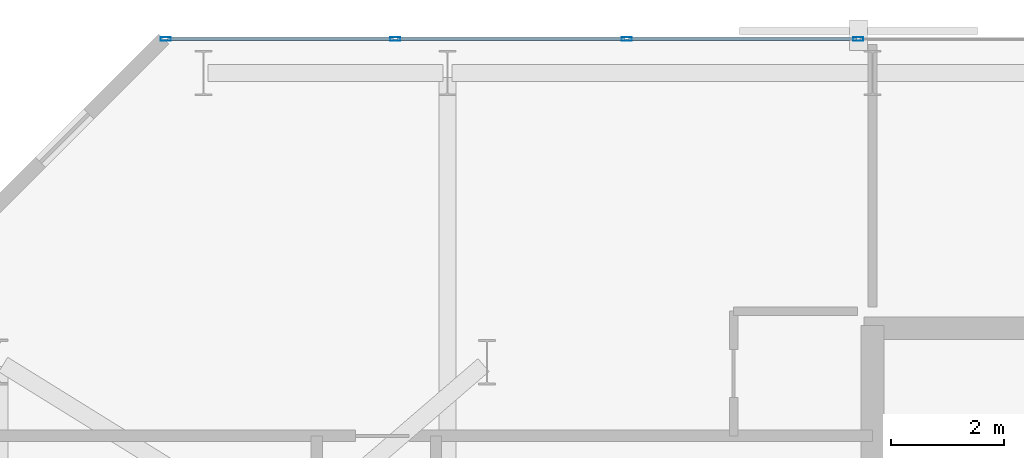
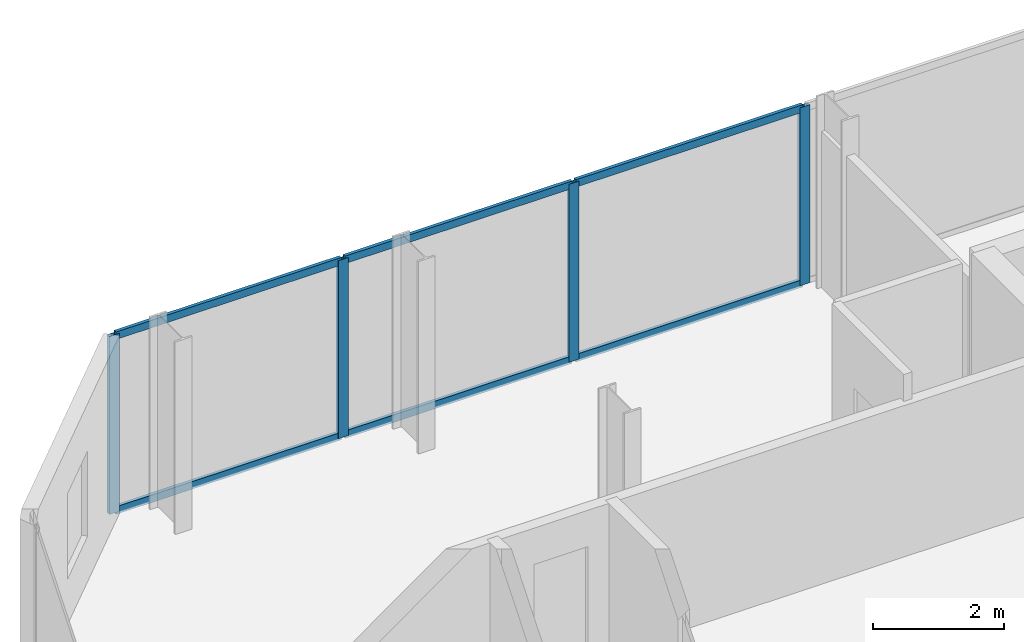
# One storey, part 22 of 33: 10 members, 1 element without a shape of its own.
"""IFC4 building model written with IfcOpenShell, lengths in metres."""

from ifc_helpers import new_model, si_unit, direction, frame, origin, origin_2d, place, context, subcontext, project, spatial, hollow_rectangle, extrude, material, layer, layer_set, material_profile, profile_set, type_object, element, aggregate, save


model = new_model("IFC4")

# Units and contexts
model_context = context("Model", 3, precision=1e-05, world=origin(), true_north=direction((0.0, 1.0)))
body_context = subcontext(model_context, "Body", "Model", "MODEL_VIEW")
ifc_project = project(units=[si_unit("LENGTHUNIT", "METRE"), si_unit("AREAUNIT", "SQUARE_METRE"), si_unit("VOLUMEUNIT", "CUBIC_METRE"), si_unit("PLANEANGLEUNIT", "RADIAN"), si_unit("MASSUNIT", "GRAM", prefix="KILO")], contexts=[model_context])

# Site, building, storey
site_placement = place(None, origin())
site = spatial("IfcSite", under=ifc_project, at=site_placement, CompositionType="ELEMENT")
building_placement = place(site_placement, origin())
building = spatial("IfcBuilding", under=site, at=building_placement, Name="Catumbela Crestline Tower", CompositionType="ELEMENT")
storey_placement = place(building_placement, frame((0.0, 0.0, 72.6)))
storey = spatial("IfcBuildingStorey", under=building, at=storey_placement, Name="L18", CompositionType="ELEMENT", Elevation=72.6)

# Curtain wall, members
ifc_material = material(Name="Aluminium alloy AW-6060-T66", Category="aluminium")
ifc_layer = layer(ifc_material, 0.18, Name="Aluminium alloy AW-6060-T66")
ifc_layer_set = layer_set([ifc_layer], Name="Aluminium alloy AW-6060-T66")
curtain_wall_type = type_object("IfcCurtainWallType", Name="CWU-Z1", PredefinedType="USERDEFINED", material=ifc_layer_set)
curtain_wall_placement = place(storey_placement, origin())
curtain_wall = element("IfcCurtainWall", 1, at=curtain_wall_placement, inside=storey, type_object=curtain_wall_type, Name="L18 Unitised Curtain Wall CW-L18-E7S1", ObjectType="UNITISED", PredefinedType="USERDEFINED")
ifc_material_profile_1 = material_profile(ifc_material, hollow_rectangle(XDim=0.065, YDim=0.18, WallThickness=0.004, at=origin_2d()), Name="ALU 180x65x4")
ifc_profile_set_1 = profile_set([ifc_material_profile_1], Name="Aluminium alloy AW-6060-T66")
member_type_1 = type_object("IfcMemberType", Name="MUL-180X65", PredefinedType="MULLION", material=ifc_profile_set_1)
member_1_placement = place(storey_placement, frame((15.75, 48.0, 0.0), z_axis=(0.0, 0.0, 1.0), x_axis=(0.0, -1.0, 0.0)))
member_1 = element("IfcMember", 2, at=member_1_placement, type_object=member_type_1, Name="CWU-Z1 mullion 10", PredefinedType="MULLION", context=body_context, shape_type="SweptSolid", body=[
    extrude(hollow_rectangle(XDim=0.065, YDim=0.18, WallThickness=0.004, at=origin_2d()), origin(), (0.0, 0.0, 1.0), 3.33),
])
member_2_placement = place(storey_placement, frame((11.6667, 48.0, 0.0), z_axis=(0.0, 0.0, 1.0), x_axis=(0.0, -1.0, 0.0)))
member_2 = element("IfcMember", 3, at=member_2_placement, type_object=member_type_1, Name="CWU-Z1 mullion 11", PredefinedType="MULLION", context=body_context, shape_type="SweptSolid", body=[
    extrude(hollow_rectangle(XDim=0.065, YDim=0.18, WallThickness=0.004, at=origin_2d()), origin(), (0.0, 0.0, 1.0), 3.33),
])
member_3_placement = place(storey_placement, frame((7.5833, 48.0, 0.0), z_axis=(0.0, 0.0, 1.0), x_axis=(0.0, -1.0, 0.0)))
member_3 = element("IfcMember", 4, at=member_3_placement, type_object=member_type_1, Name="CWU-Z1 mullion 12", PredefinedType="MULLION", context=body_context, shape_type="SweptSolid", body=[
    extrude(hollow_rectangle(XDim=0.065, YDim=0.18, WallThickness=0.004, at=origin_2d()), origin(), (0.0, 0.0, 1.0), 3.33),
])
member_4_placement = place(storey_placement, frame((3.5325, 48.0, 0.0), z_axis=(0.0, 0.0, 1.0), x_axis=(0.0, -1.0, 0.0)))
member_4 = element("IfcMember", 5, at=member_4_placement, type_object=member_type_1, Name="CWU-Z1 mullion 13", PredefinedType="MULLION", context=body_context, shape_type="SweptSolid", body=[
    extrude(hollow_rectangle(XDim=0.065, YDim=0.18, WallThickness=0.004, at=origin_2d()), origin(), (0.0, 0.0, 1.0), 3.33),
])
ifc_material_profile_2 = material_profile(ifc_material, hollow_rectangle(XDim=0.06, YDim=0.14, WallThickness=0.004, at=origin_2d()), Name="ALU 140x60x4")
ifc_profile_set_2 = profile_set([ifc_material_profile_2], Name="Aluminium alloy AW-6060-T66")
member_type_2 = type_object("IfcMemberType", Name="TRN-140X60", PredefinedType="USERDEFINED", material=ifc_profile_set_2)
member_5_placement = place(storey_placement, frame((15.7175, 48.0, 0.03), z_axis=(-1.0, 0.0, 0.0), x_axis=(0.0, -1.0, 0.0)))
member_5 = element("IfcMember", 6, at=member_5_placement, type_object=member_type_2, Name="CWU-Z1 transom 10.1", ObjectType="TRANSOM", PredefinedType="USERDEFINED", context=body_context, shape_type="SweptSolid", body=[
    extrude(hollow_rectangle(XDim=0.06, YDim=0.14, WallThickness=0.004, at=origin_2d()), origin(), (0.0, 0.0, 1.0), 4.0183),
])
member_6_placement = place(storey_placement, frame((15.7175, 48.0, 3.3), z_axis=(-1.0, 0.0, 0.0), x_axis=(0.0, -1.0, 0.0)))
member_6 = element("IfcMember", 7, at=member_6_placement, type_object=member_type_2, Name="CWU-Z1 transom 10.2", ObjectType="TRANSOM", PredefinedType="USERDEFINED", context=body_context, shape_type="SweptSolid", body=[
    extrude(hollow_rectangle(XDim=0.06, YDim=0.14, WallThickness=0.004, at=origin_2d()), origin(), (0.0, 0.0, 1.0), 4.0183),
])
member_7_placement = place(storey_placement, frame((11.6342, 48.0, 0.03), z_axis=(-1.0, 0.0, 0.0), x_axis=(0.0, -1.0, 0.0)))
member_7 = element("IfcMember", 8, at=member_7_placement, type_object=member_type_2, Name="CWU-Z1 transom 11.1", ObjectType="TRANSOM", PredefinedType="USERDEFINED", context=body_context, shape_type="SweptSolid", body=[
    extrude(hollow_rectangle(XDim=0.06, YDim=0.14, WallThickness=0.004, at=origin_2d()), origin(), (0.0, 0.0, 1.0), 4.0184),
])
member_8_placement = place(storey_placement, frame((11.6342, 48.0, 3.3), z_axis=(-1.0, 0.0, 0.0), x_axis=(0.0, -1.0, 0.0)))
member_8 = element("IfcMember", 9, at=member_8_placement, type_object=member_type_2, Name="CWU-Z1 transom 11.2", ObjectType="TRANSOM", PredefinedType="USERDEFINED", context=body_context, shape_type="SweptSolid", body=[
    extrude(hollow_rectangle(XDim=0.06, YDim=0.14, WallThickness=0.004, at=origin_2d()), origin(), (0.0, 0.0, 1.0), 4.0184),
])
member_9_placement = place(storey_placement, frame((7.5508, 48.0, 0.03), z_axis=(-1.0, 0.0, 0.0), x_axis=(0.0, -1.0, 0.0)))
member_9 = element("IfcMember", 10, at=member_9_placement, type_object=member_type_2, Name="CWU-Z1 transom 12.1", ObjectType="TRANSOM", PredefinedType="USERDEFINED", context=body_context, shape_type="SweptSolid", body=[
    extrude(hollow_rectangle(XDim=0.06, YDim=0.14, WallThickness=0.004, at=origin_2d()), origin(), (0.0, 0.0, 1.0), 3.9858),
])
member_10_placement = place(storey_placement, frame((7.5508, 48.0, 3.3), z_axis=(-1.0, 0.0, 0.0), x_axis=(0.0, -1.0, 0.0)))
member_10 = element("IfcMember", 11, at=member_10_placement, type_object=member_type_2, Name="CWU-Z1 transom 12.2", ObjectType="TRANSOM", PredefinedType="USERDEFINED", context=body_context, shape_type="SweptSolid", body=[
    extrude(hollow_rectangle(XDim=0.06, YDim=0.14, WallThickness=0.004, at=origin_2d()), origin(), (0.0, 0.0, 1.0), 3.9858),
])
aggregate(curtain_wall, [member_1, member_2, member_3, member_4, member_5, member_6, member_7, member_8, member_9, member_10])

save(model, "model.ifc")
